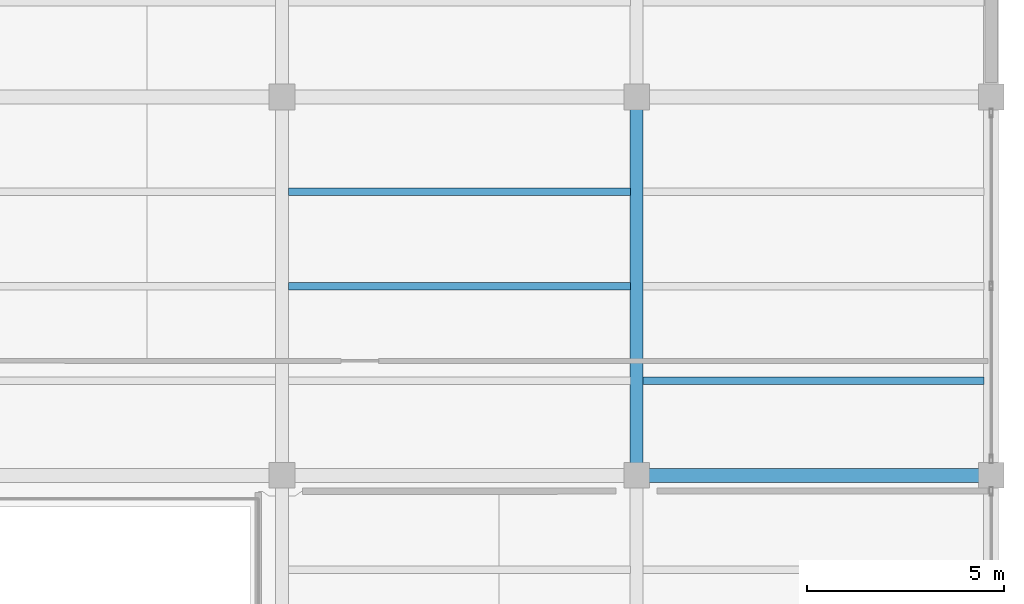
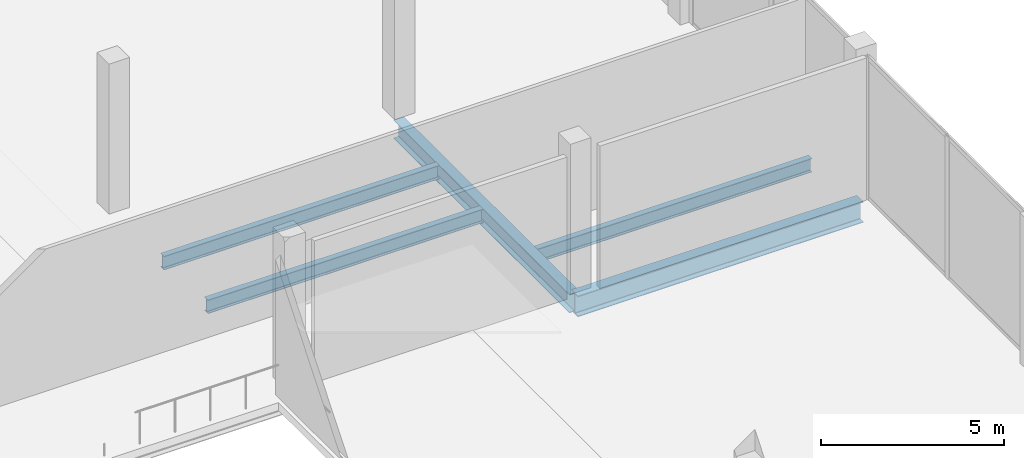
# One storey, part 21 of 46: 5 beams.
"""IFC4 building model written with IfcOpenShell, lengths in metres."""

from ifc_helpers import new_model, si_unit, direction, frame, origin, origin_2d, place, context, subcontext, project, spatial, i_section, extrude, material, material_profile, profile_set, type_object, element, save


model = new_model("IFC4")

# Units and contexts
model_context = context("Model", 3, precision=1e-05, world=origin(), true_north=direction((0.0, 1.0)))
body_context = subcontext(model_context, "Body", "Model", "MODEL_VIEW")
ifc_project = project(units=[si_unit("LENGTHUNIT", "METRE"), si_unit("AREAUNIT", "SQUARE_METRE"), si_unit("VOLUMEUNIT", "CUBIC_METRE"), si_unit("PLANEANGLEUNIT", "RADIAN"), si_unit("MASSUNIT", "GRAM", prefix="KILO")], contexts=[model_context])

# Site, building, storey
site_placement = place(None, origin())
site = spatial("IfcSite", under=ifc_project, at=site_placement, CompositionType="ELEMENT")
building_placement = place(site_placement, origin())
building = spatial("IfcBuilding", under=site, at=building_placement, Name="Qorvath Tower", CompositionType="ELEMENT")
storey_placement = place(building_placement, frame((0.0, 0.0, 17.0)))
storey = spatial("IfcBuildingStorey", under=building, at=storey_placement, Name="L03", CompositionType="ELEMENT", Elevation=17.0)

# Beams
ifc_material_1 = material(Name="Steel ASTM A992 Grade 50", Category="steel")
ifc_material_profile_1 = material_profile(ifc_material_1, i_section(OverallWidth=0.35595703125, OverallDepth=0.696044921875, WebThickness=0.015380859375, FlangeThickness=0.02490234375, FilletRadius=0.01806640625, at=origin_2d()), Name="W27x146")
ifc_profile_set_1 = profile_set([ifc_material_profile_1], Name="Steel ASTM A992 Grade 50")
beam_type_1 = type_object("IfcBeamType", Name="BM-FG4", PredefinedType="BEAM", material=ifc_profile_set_1)
beam_1_placement = place(storey_placement, frame((68.39990234375, 9.60009765625, -0.60791015625), z_axis=(1.0, 0.0, 0.0), x_axis=(0.0, 1.0, 0.0)))
element("IfcBeam", 1, at=beam_1_placement, inside=storey, type_object=beam_type_1, Name="Library E-W Girder L03-6-5", PredefinedType="BEAM", context=body_context, shape_type="SweptSolid", body=[
    extrude(i_section(OverallWidth=0.35595703125, OverallDepth=0.696044921875, WebThickness=0.015380859375, FlangeThickness=0.02490234375, FilletRadius=0.01806640625, at=origin_2d()), origin(), (0.0, 0.0, 1.0), 9.0),
])
ifc_material_2 = material(Name="Steel ASTM A992 Grade 50", Category="steel")
ifc_material_profile_2 = material_profile(ifc_material_2, i_section(OverallWidth=0.324951171875, OverallDepth=0.615966796875, WebThickness=0.013916015625, FlangeThickness=0.021484375, FilletRadius=0.01611328125, at=origin_2d()), Name="W24x117")
ifc_profile_set_2 = profile_set([ifc_material_profile_2], Name="Steel ASTM A992 Grade 50")
beam_type_2 = type_object("IfcBeamType", Name="BM-FG5", PredefinedType="BEAM", material=ifc_profile_set_2)
beam_2_placement = place(storey_placement, frame((68.39990234375, 9.60009765625, -0.568115234375), z_axis=(0.0, 1.0, 0.0), x_axis=(-1.0, 0.0, 0.0)))
element("IfcBeam", 2, at=beam_2_placement, inside=storey, type_object=beam_type_2, Name="Library N-S Girder L03-5-6", PredefinedType="BEAM", context=body_context, shape_type="SweptSolid", body=[
    extrude(i_section(OverallWidth=0.324951171875, OverallDepth=0.615966796875, WebThickness=0.013916015625, FlangeThickness=0.021484375, FilletRadius=0.01611328125, at=origin_2d()), origin(), (0.0, 0.0, 1.0), 9.599853515625),
])
ifc_material_3 = material(Name="Steel ASTM A992 Grade 50", Category="steel")
ifc_material_profile_3 = material_profile(ifc_material_3, i_section(OverallWidth=0.18994140625, OverallDepth=0.45703125, WebThickness=0.009033203125, FlangeThickness=0.014404296875, FilletRadius=0.011962890625, at=origin_2d()), Name="W18x50")
ifc_profile_set_3 = profile_set([ifc_material_profile_3], Name="Steel ASTM A992 Grade 50")
beam_type_3 = type_object("IfcBeamType", Name="BM-FJ2", PredefinedType="JOIST", material=ifc_profile_set_3)
beam_3_placement = place(storey_placement, frame((68.560546875, 12.0, -0.488525390625), z_axis=(1.0, 0.0, 0.0), x_axis=(0.0, 1.0, 0.0)))
element("IfcBeam", 3, at=beam_3_placement, inside=storey, type_object=beam_type_3, Name="Library Stack Joist L03-6.1-5", PredefinedType="JOIST", context=body_context, shape_type="SweptSolid", body=[
    extrude(i_section(OverallWidth=0.18994140625, OverallDepth=0.45703125, WebThickness=0.009033203125, FlangeThickness=0.014404296875, FilletRadius=0.011962890625, at=origin_2d()), origin(), (0.0, 0.0, 1.0), 8.65087890625),
])
for number, where, z_axis, x_axis, name in (
    (4, (59.560546875, 14.39990234375, -0.488525390625), (1.0, 0.0, 0.0), (0.0, 1.0, 0.0), "Library Stack Joist L03-6.2-4"),
    (5, (59.560546875, 16.800048828125, -0.488525390625), (1.0, 0.0, 0.0), (0.0, 1.0, 0.0), "Library Stack Joist L03-6.3-4"),
):
    element("IfcBeam", number, at=place(storey_placement, frame(where, z_axis=z_axis, x_axis=x_axis)), inside=storey, type_object=beam_type_3, Name=name, PredefinedType="JOIST", context=body_context, shape_type="SweptSolid", body=[
        extrude(i_section(OverallWidth=0.18994140625, OverallDepth=0.45703125, WebThickness=0.009033203125, FlangeThickness=0.014404296875, FilletRadius=0.011962890625, at=origin_2d()), origin(), (0.0, 0.0, 1.0), 8.678955078125),
    ])

save(model, "model.ifc")
